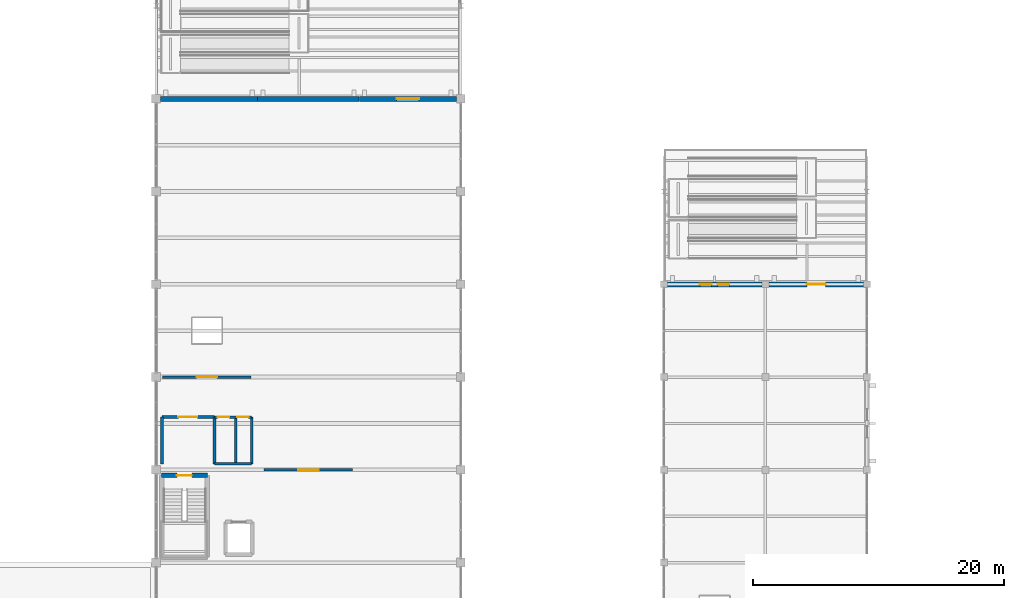
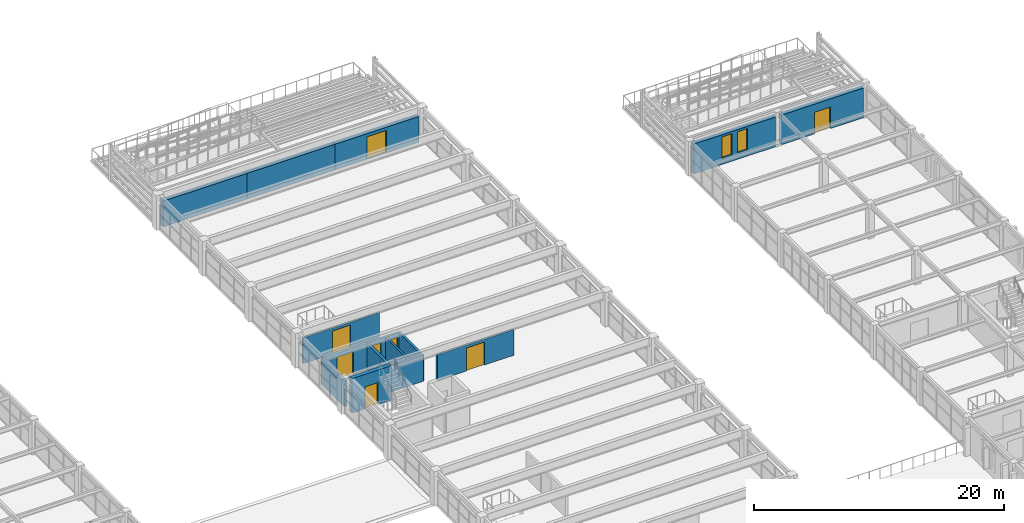
# One storey, part 106 of 121: 15 walls, 8 doors, 2 windows, 10 openings.
"""IFC4 building model written with IfcOpenShell, lengths in metres."""

import ifcopenshell
import ifcopenshell.guid

model = None  # the IFC model being written
_history = None  # IfcOwnerHistory: only IFC2X3 demands one
_inside = {}  # id of a spatial element -> (the spatial element, [elements in it])
_under = {}  # id of a project, library or spatial element -> (it, [spatial elements below it])
_declared = {}  # id of a project -> (the project, [libraries it declares])
_typed = {}  # id of a type object -> (the type object, [elements of that type])
_made_of = {}  # id of a material, layer set ... -> (it, [elements and type objects made of it])


def new_model(schema):
    """Start an empty IFC model of exactly this schema.

    Asked for "IFC4X3", IfcOpenShell would pick the latest addendum, in which some entities
    have other attributes; the version numbers below select the first issue.
    IFC2X3 requires an IfcOwnerHistory on every rooted entity: one is made here for all.
    """
    global model, _history
    if schema == "IFC4X3":
        model = ifcopenshell.file(schema_version=(4, 3, 0, 0))
    else:
        model = ifcopenshell.file(schema=schema)
    _inside.clear()
    _under.clear()
    _declared.clear()
    _typed.clear()
    _made_of.clear()
    _history = None
    if model.schema == "IFC2X3":
        org = make("IfcOrganization", Name="unknown")
        user = make(
            "IfcPersonAndOrganization",
            ThePerson=make("IfcPerson", FamilyName="unknown"),
            TheOrganization=org,
        )
        app = make(
            "IfcApplication",
            ApplicationDeveloper=org,
            Version="unknown",
            ApplicationFullName="unknown",
            ApplicationIdentifier="unknown",
        )
        _history = make(
            "IfcOwnerHistory",
            OwningUser=user,
            OwningApplication=app,
            ChangeAction="ADDED",
            CreationDate=0,
        )
    return model


def make(cls, **values):
    """One entity of the class cls with the attributes given. An attribute that is None is left unset."""
    return model.create_entity(
        cls, **{name: value for name, value in values.items() if value is not None}
    )


def rooted(cls, **values):
    """An entity with a GlobalId (a new one), such as an element, a storey or a relation."""
    return make(cls, GlobalId=ifcopenshell.guid.new(), OwnerHistory=_history, **values)


def si_unit(unit_type, name, prefix=None):
    """IfcSIUnit, for example si_unit("LENGTHUNIT", "METRE", prefix="MILLI")."""
    return make("IfcSIUnit", UnitType=unit_type, Prefix=prefix, Name=name)


def assignment(units):
    """IfcUnitAssignment: the units of a project."""
    return None if units is None else make("IfcUnitAssignment", Units=units)


def point(xyz):
    """IfcCartesianPoint."""
    return None if xyz is None else make("IfcCartesianPoint", Coordinates=xyz)


def direction(xyz):
    """IfcDirection."""
    return None if xyz is None else make("IfcDirection", DirectionRatios=xyz)


def frame(location, z_axis=None, x_axis=None):
    """IfcAxis2Placement3D, a coordinate frame: its origin and axes. An axis left out is left unset."""
    return make(
        "IfcAxis2Placement3D",
        Location=point(location),
        Axis=direction(z_axis),
        RefDirection=direction(x_axis),
    )


def frame_2d(location, x_axis=None):
    """IfcAxis2Placement2D, a coordinate frame in the plane: its origin and x axis."""
    return make(
        "IfcAxis2Placement2D", Location=point(location), RefDirection=direction(x_axis)
    )


def origin():
    """The frame at (0, 0, 0) with its axes left unset."""
    return frame((0.0, 0.0, 0.0))


def place(relative_to, where):
    """IfcLocalPlacement: puts the frame where relative to a parent placement (None: the world)."""
    return make(
        "IfcLocalPlacement", PlacementRelTo=relative_to, RelativePlacement=where
    )


def context(
    kind, dimensions, precision=None, world=None, true_north=None, identifier=None
):
    """IfcGeometricRepresentationContext, for example the 3D "Model" context."""
    return make(
        "IfcGeometricRepresentationContext",
        ContextIdentifier=identifier,
        ContextType=kind,
        CoordinateSpaceDimension=dimensions,
        Precision=precision,
        WorldCoordinateSystem=world,
        TrueNorth=true_north,
    )


def subcontext(parent, identifier, kind, view, scale=None):
    """IfcGeometricRepresentationSubContext, for example "Body" below "Model"."""
    return make(
        "IfcGeometricRepresentationSubContext",
        ContextIdentifier=identifier,
        ContextType=kind,
        ParentContext=parent,
        TargetScale=scale,
        TargetView=view,
    )


def project(units=None, contexts=None):
    """IfcProject with its units and contexts."""
    return rooted(
        "IfcProject",
        Name="project",
        RepresentationContexts=contexts,
        UnitsInContext=assignment(units),
    )


def spatial(cls, under=None, at=None, **own):
    """A site, building, storey or space (cls), placed at a placement, below another one or the project."""
    s = rooted(cls, ObjectPlacement=at, **own)
    if under is not None:
        _under.setdefault(under.id(), (under, []))[1].append(s)
    return s


def profile(cls, at=None, kind="AREA", **sizes):
    """A parametric profile (cls). Its sizes go by their IFC names, for example OverallWidth=200.0."""
    return make(cls, ProfileType=kind, Position=at, **sizes)


def rectangle(**sizes):
    """IfcRectangleProfileDef."""
    return profile("IfcRectangleProfileDef", **sizes)


def extrude(swept, where, along, depth):
    """IfcExtrudedAreaSolid: the profile swept, set in the frame where, extruded along a direction by depth."""
    return make(
        "IfcExtrudedAreaSolid",
        SweptArea=swept,
        Position=where,
        ExtrudedDirection=direction(along),
        Depth=depth,
    )


def shape(context_of_items, identifier, shape_type, items):
    """IfcShapeRepresentation: the items that make up one representation, for example the "Body"."""
    return make(
        "IfcShapeRepresentation",
        ContextOfItems=context_of_items,
        RepresentationIdentifier=identifier,
        RepresentationType=shape_type,
        Items=items,
    )


def material(Name=None, Category=None):
    """IfcMaterial."""
    return make("IfcMaterial", Name=Name, Category=Category)


def layer(
    of_material, thickness, ventilated=None, Name=None, Category=None, Priority=None
):
    """IfcMaterialLayer: one layer of a wall or slab, of a material (None: an air gap)."""
    return make(
        "IfcMaterialLayer",
        Material=of_material,
        LayerThickness=thickness,
        IsVentilated=ventilated,
        Name=Name,
        Category=Category,
        Priority=Priority,
    )


def layer_set(layers, Name=None):
    """IfcMaterialLayerSet."""
    return make("IfcMaterialLayerSet", MaterialLayers=layers, LayerSetName=Name)


def made_of(thing, what):
    """Note that an element or type object is made of a material, layer set ...; save() writes the relation."""
    if what is not None:
        _made_of.setdefault(what.id(), (what, []))[1].append(thing)
    return thing


def type_object(cls, material=None, **own):
    """A type object (cls), such as IfcWallType, which elements share."""
    return made_of(rooted(cls, **own), material)


def element(
    cls,
    number,
    at=None,
    inside=None,
    cuts=None,
    type_object=None,
    material=None,
    context=None,
    identifier="Body",
    shape_type=None,
    held_by="IfcProductDefinitionShape",
    body=None,
    shapes=None,
    **own,
):
    """One element of the class cls, such as IfcWall. Its Tag is "e" and its number.

    at: its placement. inside: the storey or other place that contains it. cuts: it is an
    opening in that element (IfcRelVoidsElement). A single representation is given by context,
    identifier, shape_type and body (its items); several are given by shapes. held_by: the class
    of the entity that holds the representations. save() writes the other relations.
    """
    e = rooted(cls, Tag="e%d" % number, ObjectPlacement=at, **own)
    if body is not None:
        shapes = [shape(context, identifier, shape_type, body)]
    if shapes is not None:
        e.Representation = make(held_by, Representations=shapes)
    if inside is not None:
        _inside.setdefault(inside.id(), (inside, []))[1].append(e)
    if cuts is not None:
        rooted(
            "IfcRelVoidsElement", RelatingBuildingElement=cuts, RelatedOpeningElement=e
        )
    if type_object is not None:
        _typed.setdefault(type_object.id(), (type_object, []))[1].append(e)
    return made_of(e, material)


def fill(opening, filler):
    """IfcRelFillsElement: the door or window that sits in an opening."""
    return rooted(
        "IfcRelFillsElement",
        RelatingOpeningElement=opening,
        RelatedBuildingElement=filler,
    )


def aggregate(whole, parts):
    """IfcRelAggregates: a whole, such as a stair, and the parts it consists of."""
    return rooted("IfcRelAggregates", RelatingObject=whole, RelatedObjects=parts)


def save(model, path):
    """Write the relations noted so far, then the file.

    IfcRelAggregates (storeys below a building ...), IfcRelContainedInSpatialStructure (elements
    in a storey), IfcRelDefinesByType, IfcRelAssociatesMaterial and IfcRelDeclares: one each for
    every whole, place, type object, material and project.
    """
    for whole, parts in _under.values():
        aggregate(whole, parts)
    for where, things in _inside.values():
        rooted(
            "IfcRelContainedInSpatialStructure",
            RelatedElements=things,
            RelatingStructure=where,
        )
    for kind, things in _typed.values():
        rooted("IfcRelDefinesByType", RelatedObjects=things, RelatingType=kind)
    for what, things in _made_of.values():
        rooted("IfcRelAssociatesMaterial", RelatedObjects=things, RelatingMaterial=what)
    for by, libraries in _declared.values():
        rooted("IfcRelDeclares", RelatingContext=by, RelatedDefinitions=libraries)
    model.write(path)


model = new_model("IFC4")

# Units and contexts
model_context = context("Model", 3, precision=1e-05, world=origin(), true_north=direction((0.0, 1.0)))
body_context = subcontext(model_context, "Body", "Model", "MODEL_VIEW")
ifc_project = project(units=[si_unit("LENGTHUNIT", "METRE"), si_unit("AREAUNIT", "SQUARE_METRE"), si_unit("VOLUMEUNIT", "CUBIC_METRE"), si_unit("PLANEANGLEUNIT", "RADIAN"), si_unit("MASSUNIT", "GRAM", prefix="KILO")], contexts=[model_context])

# Site, building, storey
site_placement = place(None, origin())
site = spatial("IfcSite", under=ifc_project, at=site_placement, CompositionType="ELEMENT")
building_placement = place(site_placement, origin())
building = spatial("IfcBuilding", under=site, at=building_placement, Name="Cimatlan Art Gallery", CompositionType="ELEMENT")
storey_placement = place(building_placement, frame((0.0, 0.0, 10.199951171875)))
storey = spatial("IfcBuildingStorey", under=building, at=storey_placement, Name="L02", CompositionType="ELEMENT", Elevation=10.199951171875)

# Wall, opening, door
ifc_material_1 = material(Name="Concrete C40/50", Category="concrete")
ifc_layer_1 = layer(ifc_material_1, 0.35009765625)
ifc_layer_set_1 = layer_set([ifc_layer_1], Name="Concrete C40/50")
wall_type_1 = type_object("IfcWallType", Name="W-CORE-350", PredefinedType="SHEAR", material=ifc_layer_set_1)
wall_1_placement = place(storey_placement, frame((75.340087890625, 67.860107421875, 0.0), z_axis=(0.0, 0.0, 1.0), x_axis=(1.0, 0.0, 0.0)))
wall_1 = element("IfcWall", 1, at=wall_1_placement, inside=storey, type_object=wall_type_1, Name="WL-CORE-C6-L02-SN", PredefinedType="SHEAR", context=body_context, shape_type="SweptSolid", body=[
    extrude(rectangle(XDim=3.639892578125, YDim=0.35009765625, at=frame_2d((1.81982421875, 0.0))), origin(), (0.0, 0.0, 1.0), 3.364990234375),
])
opening_1_placement = place(wall_1_placement, frame((1.219970703125, 0.0, 0.0)))
opening_1 = element("IfcOpeningElement", 2, at=opening_1_placement, cuts=wall_1, Name="Opening FD-C6-L02", PredefinedType="OPENING", context=body_context, shape_type="SweptSolid", body=[
    extrude(rectangle(XDim=1.199951171875, YDim=2.14990234375, at=frame_2d((0.60009765625, 1.074951171875))), frame((0.0, 0.18505859375, 0.0), z_axis=(0.0, -1.0, 0.0), x_axis=(1.0, 0.0, 0.0)), (0.0, 0.0, 1.0), 0.3701171875),
])
ifc_material_2 = material(Name="Fire-resisting steel acoustic stair door", Category="steel")
door_type_1 = type_object("IfcDoorType", Name="FD-ST-1200", OperationType="NOTDEFINED", PredefinedType="DOOR", material=ifc_material_2)
door_1_placement = place(opening_1_placement, origin())
door_1 = element("IfcDoor", 3, at=door_1_placement, inside=storey, type_object=door_type_1, Name="DR-C6-L02-ST", OperationType="SINGLE_SWING_LEFT", OverallHeight=2.14990234375, OverallWidth=1.199951171875, PredefinedType="DOOR", context=body_context, shape_type="SweptSolid", body=[
    extrude(rectangle(XDim=1.199951171875, YDim=2.14990234375, at=frame_2d((0.60009765625, 1.074951171875))), frame((0.0, 0.02490234375, 0.0), z_axis=(0.0, -1.0, 0.0), x_axis=(1.0, 0.0, 0.0)), (0.0, 0.0, 1.0), 0.050048828125),
])
fill(opening_1, door_1)

ifc_material_3 = material(Name="Precast concrete C40/50", Category="concrete")
ifc_layer_2 = layer(ifc_material_3, 0.2451171875)
ifc_layer_set_2 = layer_set([ifc_layer_2], Name="Precast concrete C40/50")
wall_type_2 = type_object("IfcWallType", Name="W-FFL-245", PredefinedType="PARTITIONING", material=ifc_layer_set_2)
wall_2_placement = place(storey_placement, frame((75.3798828125, 72.5, 0.0), z_axis=(0.0, 0.0, 1.0), x_axis=(1.0, 0.0, 0.0)))
wall_2 = element("IfcWall", 4, at=wall_2_placement, inside=storey, type_object=wall_type_2, Name="WL-LOB-C6-L02-N", PredefinedType="PARTITIONING", context=body_context, shape_type="SweptSolid", body=[
    extrude(rectangle(XDim=4.170166015625, YDim=0.2451171875, at=frame_2d((2.0849609375, 0.0))), origin(), (0.0, 0.0, 1.0), 2.51416015625),
])
opening_2_placement = place(wall_2_placement, frame((1.300048828125, 0.0, 0.0)))
opening_2 = element("IfcOpeningElement", 5, at=opening_2_placement, cuts=wall_2, Name="Opening FDL-C6-L02", PredefinedType="OPENING", context=body_context, shape_type="SweptSolid", body=[
    extrude(rectangle(XDim=1.5, YDim=2.14990234375, at=frame_2d((0.75, 1.074951171875))), frame((0.0, 0.132568359375, 0.0), z_axis=(0.0, -1.0, 0.0), x_axis=(1.0, 0.0, 0.0)), (0.0, 0.0, 1.0), 0.26513671875),
])
ifc_material_4 = material(Name="Fire-resisting double-seal lobby door")
door_type_2 = type_object("IfcDoorType", Name="FD-LB-1500", OperationType="NOTDEFINED", PredefinedType="DOOR", material=ifc_material_4)
door_2_placement = place(opening_2_placement, origin())
door_2 = element("IfcDoor", 6, at=door_2_placement, inside=storey, type_object=door_type_2, Name="DR-LOB-C6-L02", OperationType="SINGLE_SWING_RIGHT", OverallHeight=2.14990234375, OverallWidth=1.5, PredefinedType="DOOR", context=body_context, shape_type="SweptSolid", body=[
    extrude(rectangle(XDim=1.5, YDim=2.14990234375, at=frame_2d((0.75, 1.074951171875))), frame((0.0, 0.02490234375, 0.0), z_axis=(0.0, -1.0, 0.0), x_axis=(1.0, 0.0, 0.0)), (0.0, 0.0, 1.0), 0.050048828125),
])
fill(opening_2, door_2)

# Walls
for number, where, z_axis, x_axis, name in (
    (7, (75.3798828125, 68.780029296875, 0.0), (0.0, 0.0, 1.0), (0.0, 1.0, 0.0), "WL-LOB-C6-L02-W"),
    (8, (79.550048828125, 68.780029296875, 0.0), (0.0, 0.0, 1.0), (0.0, 1.0, 0.0), "WL-LOB-C6-L02-M"),
):
    element("IfcWall", number, at=place(storey_placement, frame(where, z_axis=z_axis, x_axis=x_axis)), inside=storey, type_object=wall_type_2, Name=name, PredefinedType="PARTITIONING", context=body_context, shape_type="SweptSolid", body=[
        extrude(rectangle(XDim=3.719970703125, YDim=0.2451171875, at=frame_2d((1.85986328125, 0.0))), origin(), (0.0, 0.0, 1.0), 2.51416015625),
    ])

# Wall, opening, door
ifc_material_5 = material(Name="Acoustic gypsum and steel stud partition", Category="steel")
ifc_layer_3 = layer(ifc_material_5, 0.205078125)
ifc_layer_set_3 = layer_set([ifc_layer_3], Name="Acoustic gypsum and steel stud partition")
wall_type_3 = type_object("IfcWallType", Name="W-GAL-205", PredefinedType="PARTITIONING", material=ifc_layer_set_3)
wall_3_placement = place(storey_placement, frame((83.52001953125, 68.300048828125, 0.0), z_axis=(0.0, 0.0, 1.0), x_axis=(1.0, 0.0, 0.0)))
wall_3 = element("IfcWall", 9, at=wall_3_placement, inside=storey, type_object=wall_type_3, Name="WL-RM-L02-GAL-C2", PredefinedType="PARTITIONING", context=body_context, shape_type="SweptSolid", body=[
    extrude(rectangle(XDim=7.06005859375, YDim=0.205078125, at=frame_2d((3.530029296875, 0.0))), origin(), (0.0, 0.0, 1.0), 2.51416015625),
])
opening_3_placement = place(wall_3_placement, frame((2.705078125, 0.0, 0.0)))
opening_3 = element("IfcOpeningElement", 10, at=opening_3_placement, cuts=wall_3, Name="Opening DI-0232", PredefinedType="OPENING", context=body_context, shape_type="SweptSolid", body=[
    extrude(rectangle(XDim=1.64990234375, YDim=2.25, at=frame_2d((0.824951171875, 1.125))), frame((0.0, 0.112548828125, 0.0), z_axis=(0.0, -1.0, 0.0), x_axis=(1.0, 0.0, 0.0)), (0.0, 0.0, 1.0), 0.22509765625),
])
ifc_material_6 = material(Name="European oak gallery double door")
door_type_3 = type_object("IfcDoorType", Name="DI-GL-1650", OperationType="NOTDEFINED", PredefinedType="DOOR", material=ifc_material_6)
door_3_placement = place(opening_3_placement, origin())
door_3 = element("IfcDoor", 11, at=door_3_placement, inside=storey, type_object=door_type_3, Name="DR-RM-L02-GAL-C2", OperationType="SINGLE_SWING_RIGHT", OverallHeight=2.25, OverallWidth=1.64990234375, PredefinedType="DOOR", context=body_context, shape_type="SweptSolid", body=[
    extrude(rectangle(XDim=1.64990234375, YDim=2.25, at=frame_2d((0.824951171875, 1.125))), frame((0.0, 0.02490234375, 0.0), z_axis=(0.0, -1.0, 0.0), x_axis=(1.0, 0.0, 0.0)), (0.0, 0.0, 1.0), 0.050048828125),
])
fill(opening_3, door_3)

wall_4_placement = place(storey_placement, frame((75.419921875, 75.699951171875, 0.0), z_axis=(0.0, 0.0, 1.0), x_axis=(1.0, 0.0, 0.0)))
wall_4 = element("IfcWall", 12, at=wall_4_placement, inside=storey, type_object=wall_type_3, Name="WL-RM-L02-GAL-CN", PredefinedType="PARTITIONING", context=body_context, shape_type="SweptSolid", body=[
    extrude(rectangle(XDim=7.06005859375, YDim=0.205078125, at=frame_2d((3.530029296875, 0.0))), origin(), (0.0, 0.0, 1.0), 2.51416015625),
])
opening_4_placement = place(wall_4_placement, frame((2.705078125, 0.0, 0.0)))
opening_4 = element("IfcOpeningElement", 13, at=opening_4_placement, cuts=wall_4, Name="Opening DI-0233", PredefinedType="OPENING", context=body_context, shape_type="SweptSolid", body=[
    extrude(rectangle(XDim=1.64990234375, YDim=2.25, at=frame_2d((0.824951171875, 1.125))), frame((0.0, 0.112548828125, 0.0), z_axis=(0.0, -1.0, 0.0), x_axis=(1.0, 0.0, 0.0)), (0.0, 0.0, 1.0), 0.22509765625),
])
door_4_placement = place(opening_4_placement, origin())
door_4 = element("IfcDoor", 14, at=door_4_placement, inside=storey, type_object=door_type_3, Name="DR-RM-L02-GAL-CN", OperationType="SINGLE_SWING_LEFT", OverallHeight=2.25, OverallWidth=1.64990234375, PredefinedType="DOOR", context=body_context, shape_type="SweptSolid", body=[
    extrude(rectangle(XDim=1.64990234375, YDim=2.25, at=frame_2d((0.824951171875, 1.125))), frame((0.0, 0.02490234375, 0.0), z_axis=(0.0, -1.0, 0.0), x_axis=(1.0, 0.0, 0.0)), (0.0, 0.0, 1.0), 0.050048828125),
])
fill(opening_4, door_4)

# Walls
ifc_material_7 = material(Name="Moisture-resistant fire-rated plumbing wall")
ifc_layer_4 = layer(ifc_material_7, 0.195068359375)
ifc_layer_set_4 = layer_set([ifc_layer_4], Name="Moisture-resistant fire-rated plumbing wall")
wall_type_4 = type_object("IfcWallType", Name="W-PLM-195", PredefinedType="PARTITIONING", material=ifc_layer_set_4)
for number, where, z_axis, x_axis, name in (
    (15, (81.25, 68.780029296875, 0.0), (0.0, 0.0, 1.0), (0.0, 1.0, 0.0), "WL-LOB-C6-L02-D"),
    (16, (82.52001953125, 68.780029296875, 0.0), (0.0, 0.0, 1.0), (0.0, 1.0, 0.0), "WL-LOB-C6-L02-E"),
):
    element("IfcWall", number, at=place(storey_placement, frame(where, z_axis=z_axis, x_axis=x_axis)), inside=storey, type_object=wall_type_4, Name=name, PredefinedType="PARTITIONING", context=body_context, shape_type="SweptSolid", body=[
        extrude(rectangle(XDim=3.719970703125, YDim=0.195068359375, at=frame_2d((1.85986328125, 0.0))), origin(), (0.0, 0.0, 1.0), 2.51416015625),
    ])
wall_5_placement = place(storey_placement, frame((79.550048828125, 68.780029296875, 0.0), z_axis=(0.0, 0.0, 1.0), x_axis=(1.0, 0.0, 0.0)))
element("IfcWall", 17, at=wall_5_placement, inside=storey, type_object=wall_type_4, Name="WL-LOB-C6-L02-S", PredefinedType="PARTITIONING", context=body_context, shape_type="SweptSolid", body=[
    extrude(rectangle(XDim=2.969970703125, YDim=0.195068359375, at=frame_2d((1.48486328125, 0.0))), origin(), (0.0, 0.0, 1.0), 2.51416015625),
])

# Wall, openings, doors
wall_6_placement = place(storey_placement, frame((79.550048828125, 72.5, 0.0), z_axis=(0.0, 0.0, 1.0), x_axis=(1.0, 0.0, 0.0)))
wall_6 = element("IfcWall", 18, at=wall_6_placement, inside=storey, type_object=wall_type_4, Name="WL-WC-C6-L02-N", PredefinedType="PARTITIONING", context=body_context, shape_type="SweptSolid", body=[
    extrude(rectangle(XDim=2.969970703125, YDim=0.195068359375, at=frame_2d((1.48486328125, 0.0))), origin(), (0.0, 0.0, 1.0), 2.51416015625),
])
opening_5_placement = place(wall_6_placement, frame((0.25, 0.0, 0.0)))
opening_5 = element("IfcOpeningElement", 19, at=opening_5_placement, cuts=wall_6, Name="Opening DWC-C6A-L02", PredefinedType="OPENING", context=body_context, shape_type="SweptSolid", body=[
    extrude(rectangle(XDim=0.949951171875, YDim=2.10009765625, at=frame_2d((0.47509765625, 1.050048828125))), frame((0.0, 0.107421875, 0.0), z_axis=(0.0, -1.0, 0.0), x_axis=(1.0, 0.0, 0.0)), (0.0, 0.0, 1.0), 0.215087890625),
])
opening_6_placement = place(wall_6_placement, frame((1.820068359375, 0.0, 0.0)))
opening_6 = element("IfcOpeningElement", 20, at=opening_6_placement, cuts=wall_6, Name="Opening DWC-C6B-L02", PredefinedType="OPENING", context=body_context, shape_type="SweptSolid", body=[
    extrude(rectangle(XDim=0.89990234375, YDim=2.10009765625, at=frame_2d((0.449951171875, 1.050048828125))), frame((0.0, 0.107421875, 0.0), z_axis=(0.0, -1.0, 0.0), x_axis=(1.0, 0.0, 0.0)), (0.0, 0.0, 1.0), 0.215087890625),
])
ifc_material_8 = material(Name="Sanitary room door")
door_type_4 = type_object("IfcDoorType", Name="DI-WC-0900", OperationType="NOTDEFINED", PredefinedType="DOOR", material=ifc_material_8)
door_5_placement = place(opening_6_placement, origin())
door_5 = element("IfcDoor", 21, at=door_5_placement, inside=storey, type_object=door_type_4, Name="DR-PWC-C6-L02", OperationType="SINGLE_SWING_RIGHT", OverallHeight=2.10009765625, OverallWidth=0.89990234375, PredefinedType="DOOR", context=body_context, shape_type="SweptSolid", body=[
    extrude(rectangle(XDim=0.89990234375, YDim=2.10009765625, at=frame_2d((0.449951171875, 1.050048828125))), frame((0.0, 0.02490234375, 0.0), z_axis=(0.0, -1.0, 0.0), x_axis=(1.0, 0.0, 0.0)), (0.0, 0.0, 1.0), 0.050048828125),
])
fill(opening_6, door_5)
ifc_material_9 = material(Name="Accessible sanitary room door")
door_type_5 = type_object("IfcDoorType", Name="DI-WC-0950", OperationType="NOTDEFINED", PredefinedType="DOOR", material=ifc_material_9)
door_6_placement = place(opening_5_placement, origin())
door_6 = element("IfcDoor", 22, at=door_6_placement, inside=storey, type_object=door_type_5, Name="DR-AWC-C6-L02", OperationType="SINGLE_SWING_LEFT", OverallHeight=2.10009765625, OverallWidth=0.949951171875, PredefinedType="DOOR", context=body_context, shape_type="SweptSolid", body=[
    extrude(rectangle(XDim=0.949951171875, YDim=2.10009765625, at=frame_2d((0.47509765625, 1.050048828125))), frame((0.0, 0.02490234375, 0.0), z_axis=(0.0, -1.0, 0.0), x_axis=(1.0, 0.0, 0.0)), (0.0, 0.0, 1.0), 0.050048828125),
])
fill(opening_5, door_6)

# Walls
ifc_layer_5 = layer(ifc_material_3, 0.39990234375)
ifc_layer_set_5 = layer_set([ifc_layer_5], Name="Precast concrete C40/50")
wall_type_5 = type_object("IfcWallType", Name="WL-EXT-CAN-400", PredefinedType="SOLIDWALL", material=ifc_layer_set_5)
wall_7_placement = place(storey_placement, frame((75.25390625, 97.89990234375, 0.0), z_axis=(0.0, 0.0, 1.0), x_axis=(1.0, 0.0, 0.0)))
element("IfcWall", 23, at=wall_7_placement, inside=storey, type_object=wall_type_5, Name="WL-EXT-L02-09-12-N", PredefinedType="SOLIDWALL", context=body_context, shape_type="SweptSolid", body=[
    extrude(rectangle(XDim=7.7421875, YDim=0.39990234375, at=frame_2d((3.87109375, 0.0))), origin(), (0.0, 0.0, 1.0), 2.509033203125),
])
wall_8_placement = place(storey_placement, frame((83.00390625, 97.89990234375, 0.0), z_axis=(0.0, 0.0, 1.0), x_axis=(1.0, 0.0, 0.0)))
element("IfcWall", 24, at=wall_8_placement, inside=storey, type_object=wall_type_5, Name="WL-EXT-L02-10-12-N", PredefinedType="SOLIDWALL", context=body_context, shape_type="SweptSolid", body=[
    extrude(rectangle(XDim=8.092041015625, YDim=0.39990234375, at=frame_2d((4.0458984375, 0.0))), origin(), (0.0, 0.0, 1.0), 2.509033203125),
])

# Wall, opening, door
wall_9_placement = place(storey_placement, frame((91.10400390625, 97.89990234375, 0.0), z_axis=(0.0, 0.0, 1.0), x_axis=(1.0, 0.0, 0.0)))
wall_9 = element("IfcWall", 25, at=wall_9_placement, inside=storey, type_object=wall_type_5, Name="WL-EXT-L02-11-12-N", PredefinedType="SOLIDWALL", context=body_context, shape_type="SweptSolid", body=[
    extrude(rectangle(XDim=7.741943359375, YDim=0.39990234375, at=frame_2d((3.87109375, 0.0))), origin(), (0.0, 0.0, 1.0), 2.509033203125),
])
opening_7_placement = place(wall_9_placement, frame((2.970947265625, 0.0, 0.0)))
opening_7 = element("IfcOpeningElement", 26, at=opening_7_placement, cuts=wall_9, Name="Opening D-L02-T03", PredefinedType="OPENING", context=body_context, shape_type="SweptSolid", body=[
    extrude(rectangle(XDim=1.800048828125, YDim=2.199951171875, at=frame_2d((0.89990234375, 1.10009765625))), frame((0.0, 0.2099609375, 0.0), z_axis=(0.0, -1.0, 0.0), x_axis=(1.0, 0.0, 0.0)), (0.0, 0.0, 1.0), 0.419921875),
])
ifc_material_10 = material(Name="Anodised bronze and laminated safety glass door", Category="glass")
door_type_6 = type_object("IfcDoorType", Name="DE-TR-1800", OperationType="NOTDEFINED", PredefinedType="DOOR", material=ifc_material_10)
door_7_placement = place(opening_7_placement, origin())
door_7 = element("IfcDoor", 27, at=door_7_placement, inside=storey, type_object=door_type_6, Name="D-L02-T03", OperationType="SINGLE_SWING_RIGHT", OverallHeight=2.199951171875, OverallWidth=1.800048828125, PredefinedType="DOOR", context=body_context, shape_type="SweptSolid", body=[
    extrude(rectangle(XDim=1.800048828125, YDim=2.199951171875, at=frame_2d((0.89990234375, 1.10009765625))), frame((0.0, 0.02490234375, 0.0), z_axis=(0.0, -1.0, 0.0), x_axis=(1.0, 0.0, 0.0)), (0.0, 0.0, 1.0), 0.050048828125),
])
fill(opening_7, door_7)

# Wall, openings, windows
wall_10_placement = place(storey_placement, frame((115.678955078125, 83.10009765625, 0.0), z_axis=(0.0, 0.0, 1.0), x_axis=(1.0, 0.0, 0.0)))
wall_10 = element("IfcWall", 28, at=wall_10_placement, inside=storey, type_object=wall_type_5, Name="WL-EXT-L02-14-10-N", PredefinedType="SOLIDWALL", context=body_context, shape_type="SweptSolid", body=[
    extrude(rectangle(XDim=7.5419921875, YDim=0.39990234375, at=frame_2d((3.77099609375, 0.0))), origin(), (0.0, 0.0, 1.0), 2.89794921875),
])
opening_8_placement = place(wall_10_placement, frame((2.591064453125, 0.0, 0.60009765625)))
opening_8 = element("IfcOpeningElement", 29, at=opening_8_placement, cuts=wall_10, Name="Opening WN-0173", PredefinedType="OPENING", context=body_context, shape_type="SweptSolid", body=[
    extrude(rectangle(XDim=0.93994140625, YDim=2.080078125, at=frame_2d((0.469970703125, 1.0400390625))), frame((0.0, 0.2099609375, 0.0), z_axis=(0.0, -1.0, 0.0), x_axis=(1.0, 0.0, 0.0)), (0.0, 0.0, 1.0), 0.419921875),
])
opening_9_placement = place(wall_10_placement, frame((4.010986328125, 0.0, 0.60009765625)))
opening_9 = element("IfcOpeningElement", 30, at=opening_9_placement, cuts=wall_10, Name="Opening WN-0174", PredefinedType="OPENING", context=body_context, shape_type="SweptSolid", body=[
    extrude(rectangle(XDim=0.93994140625, YDim=2.080078125, at=frame_2d((0.469970703125, 1.0400390625))), frame((0.0, 0.2099609375, 0.0), z_axis=(0.0, -1.0, 0.0), x_axis=(1.0, 0.0, 0.0)), (0.0, 0.0, 1.0), 0.419921875),
])
ifc_material_11 = material(Name="Low-E laminated double glazing in bronze lancet frame", Category="glass")
window_type = type_object("IfcWindowType", Name="WIN-N-L02-0940X2080", PartitioningType="SINGLE_PANEL", PredefinedType="WINDOW", material=ifc_material_11)
window_1_placement = place(opening_8_placement, origin())
window_1 = element("IfcWindow", 31, at=window_1_placement, inside=storey, type_object=window_type, Name="WIN-0173", OverallHeight=2.080078125, OverallWidth=0.93994140625, PartitioningType="SINGLE_PANEL", PredefinedType="WINDOW", context=body_context, shape_type="SweptSolid", body=[
    extrude(rectangle(XDim=0.93994140625, YDim=2.080078125, at=frame_2d((0.469970703125, 1.0400390625))), frame((0.0, 0.030029296875, 0.0), z_axis=(0.0, -1.0, 0.0), x_axis=(1.0, 0.0, 0.0)), (0.0, 0.0, 1.0), 0.06005859375),
])
fill(opening_8, window_1)
window_2_placement = place(opening_9_placement, origin())
window_2 = element("IfcWindow", 32, at=window_2_placement, inside=storey, type_object=window_type, Name="WIN-0174", OverallHeight=2.080078125, OverallWidth=0.93994140625, PartitioningType="SINGLE_PANEL", PredefinedType="WINDOW", context=body_context, shape_type="SweptSolid", body=[
    extrude(rectangle(XDim=0.93994140625, YDim=2.080078125, at=frame_2d((0.469970703125, 1.0400390625))), frame((0.0, 0.030029296875, 0.0), z_axis=(0.0, -1.0, 0.0), x_axis=(1.0, 0.0, 0.0)), (0.0, 0.0, 1.0), 0.06005859375),
])
fill(opening_9, window_2)

# Wall, opening, door
wall_11_placement = place(storey_placement, frame((123.779052734375, 83.10009765625, 0.0), z_axis=(0.0, 0.0, 1.0), x_axis=(1.0, 0.0, 0.0)))
wall_11 = element("IfcWall", 33, at=wall_11_placement, inside=storey, type_object=wall_type_5, Name="WL-EXT-L02-15-10-N", PredefinedType="SOLIDWALL", context=body_context, shape_type="SweptSolid", body=[
    extrude(rectangle(XDim=7.5419921875, YDim=0.39990234375, at=frame_2d((3.77099609375, 0.0))), origin(), (0.0, 0.0, 1.0), 2.89794921875),
])
opening_10_placement = place(wall_11_placement, frame((3.02099609375, 0.0, 0.0)))
opening_10 = element("IfcOpeningElement", 34, at=opening_10_placement, cuts=wall_11, Name="Opening D-L02-T04", PredefinedType="OPENING", context=body_context, shape_type="SweptSolid", body=[
    extrude(rectangle(XDim=1.5, YDim=2.10009765625, at=frame_2d((0.75, 1.050048828125))), frame((0.0, 0.2099609375, 0.0), z_axis=(0.0, -1.0, 0.0), x_axis=(1.0, 0.0, 0.0)), (0.0, 0.0, 1.0), 0.419921875),
])
door_type_7 = type_object("IfcDoorType", Name="DE-TR-1500", OperationType="NOTDEFINED", PredefinedType="DOOR", material=ifc_material_10)
door_8_placement = place(opening_10_placement, origin())
door_8 = element("IfcDoor", 35, at=door_8_placement, inside=storey, type_object=door_type_7, Name="D-L02-T04", OperationType="SINGLE_SWING_RIGHT", OverallHeight=2.10009765625, OverallWidth=1.5, PredefinedType="DOOR", context=body_context, shape_type="SweptSolid", body=[
    extrude(rectangle(XDim=1.5, YDim=2.10009765625, at=frame_2d((0.75, 1.050048828125))), frame((0.0, 0.02490234375, 0.0), z_axis=(0.0, -1.0, 0.0), x_axis=(1.0, 0.0, 0.0)), (0.0, 0.0, 1.0), 0.050048828125),
])
fill(opening_10, door_8)

save(model, "model.ifc")
